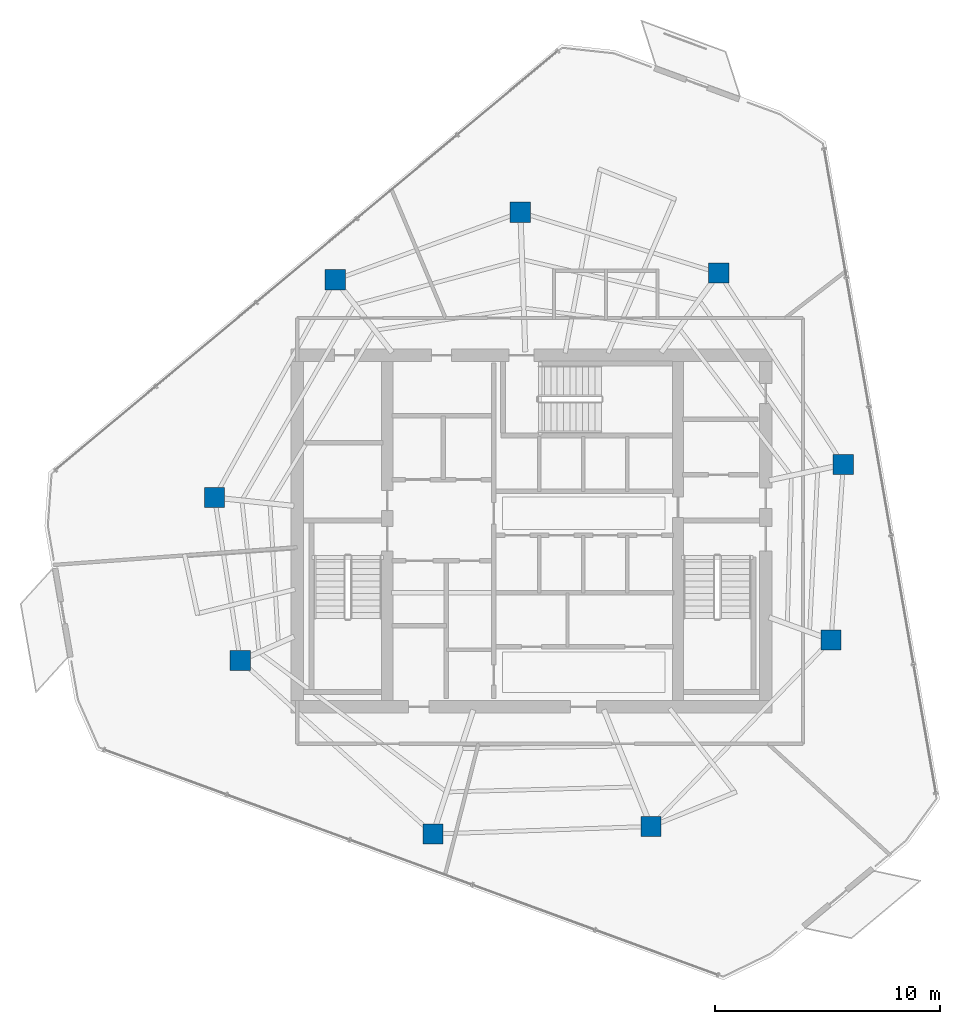
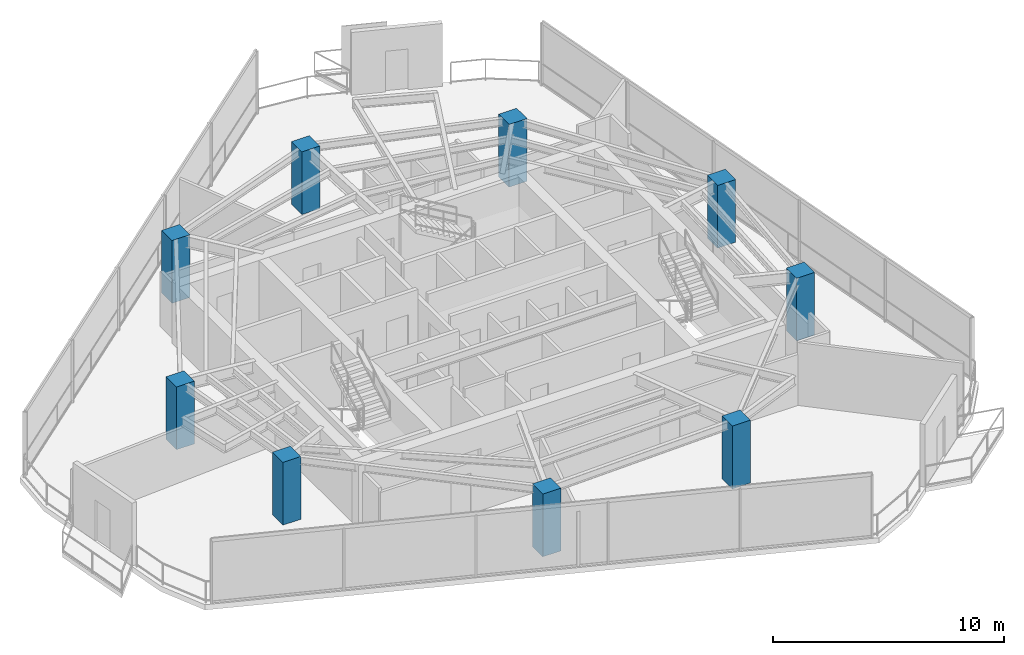
# One storey, part 1 of 18: 9 columns.
"""IFC4 building model written with IfcOpenShell, lengths in metres."""

from ifc_helpers import new_model, si_unit, direction, frame, origin, origin_2d, place, context, subcontext, project, spatial, rectangle, extrude, material, material_profile, profile_set, type_object, element, save


model = new_model("IFC4")

# Units and contexts
model_context = context("Model", 3, precision=1e-05, world=origin(), true_north=direction((0.0, 1.0)))
body_context = subcontext(model_context, "Body", "Model", "MODEL_VIEW")
ifc_project = project(units=[si_unit("LENGTHUNIT", "METRE"), si_unit("AREAUNIT", "SQUARE_METRE"), si_unit("VOLUMEUNIT", "CUBIC_METRE"), si_unit("PLANEANGLEUNIT", "RADIAN"), si_unit("MASSUNIT", "GRAM", prefix="KILO")], contexts=[model_context])

# Site, building, storey
site_placement = place(None, origin())
site = spatial("IfcSite", under=ifc_project, at=site_placement, CompositionType="ELEMENT")
building_placement = place(site_placement, origin())
building = spatial("IfcBuilding", under=site, at=building_placement, Name="Qarnah Convention Tower", CompositionType="ELEMENT")
storey_placement = place(building_placement, frame((0.0, 0.0, 216.60009765625)))
storey = spatial("IfcBuildingStorey", under=building, at=storey_placement, Name="L58", CompositionType="ELEMENT", Elevation=216.60009765625)

# Columns
ifc_material = material(Name="Concrete C50/60", Category="concrete")
ifc_material_profile = material_profile(ifc_material, rectangle(XDim=0.89990234375, YDim=0.89990234375, at=origin_2d()), Name="RC-COL-900X900")
ifc_profile_set = profile_set([ifc_material_profile], Name="Concrete C50/60")
column_type = type_object("IfcColumnType", Name="COL-Z4-900", PredefinedType="COLUMN", material=ifc_profile_set)
for number, where, z_axis, x_axis, name in (
    (1, (51.041015625, 29.342041015625, 0.0), (0.0, 0.0, 1.0), (1.0, 0.0, 0.0), "L58 plumb column PC-Z4-01"),
    (2, (45.51708984375, 37.847900390625, 0.0), (0.0, 0.0, 1.0), (1.0, 0.0, 0.0), "L58 plumb column PC-Z4-02"),
    (3, (36.7060546875, 40.541015625, 0.0), (0.0, 0.0, 1.0), (1.0, 0.0, 0.0), "L58 plumb column PC-Z4-03"),
    (4, (28.488037109375, 37.550048828125, 0.0), (0.0, 0.0, 1.0), (1.0, 0.0, 0.0), "L58 plumb column PC-Z4-04"),
    (5, (23.1279296875, 27.87890625, 0.0), (0.0, 0.0, 1.0), (1.0, 0.0, 0.0), "L58 plumb column PC-Z4-05"),
    (6, (24.27294921875, 20.64501953125, 0.0), (0.0, 0.0, 1.0), (1.0, 0.0, 0.0), "L58 plumb column PC-Z4-06"),
    (7, (32.826904296875, 12.943115234375, 0.0), (0.0, 0.0, 1.0), (1.0, 0.0, 0.0), "L58 plumb column PC-Z4-07"),
    (8, (42.5009765625, 13.280029296875, 0.0), (0.0, 0.0, 1.0), (1.0, 0.0, 0.0), "L58 plumb column PC-Z4-08"),
    (9, (50.4970703125, 21.56005859375, 0.0), (0.0, 0.0, 1.0), (1.0, 0.0, 0.0), "L58 plumb column PC-Z4-09"),
):
    element("IfcColumn", number, at=place(storey_placement, frame(where, z_axis=z_axis, x_axis=x_axis)), inside=storey, type_object=column_type, Name=name, PredefinedType="COLUMN", context=body_context, shape_type="SweptSolid", body=[
        extrude(rectangle(XDim=0.89990234375, YDim=0.89990234375, at=origin_2d()), origin(), (0.0, 0.0, 1.0), 3.31982421875),
    ])

save(model, "model.ifc")
